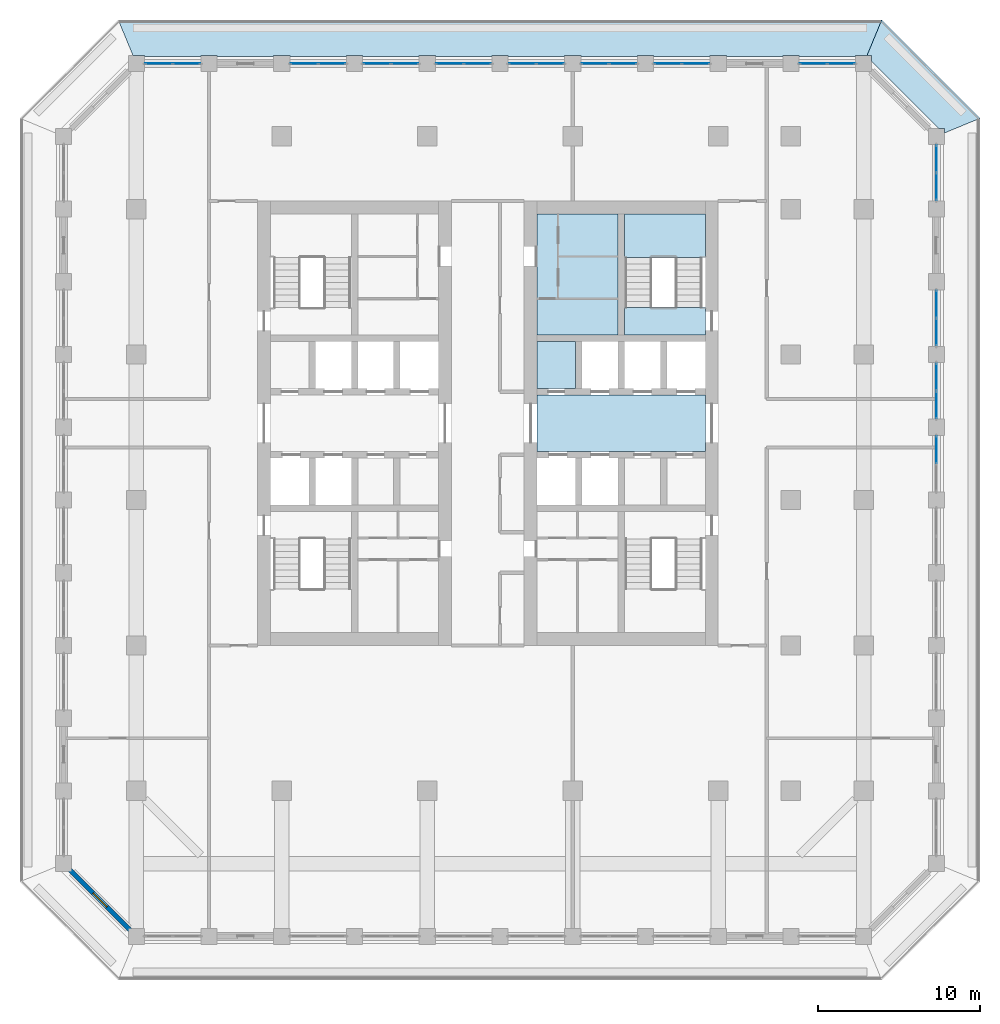
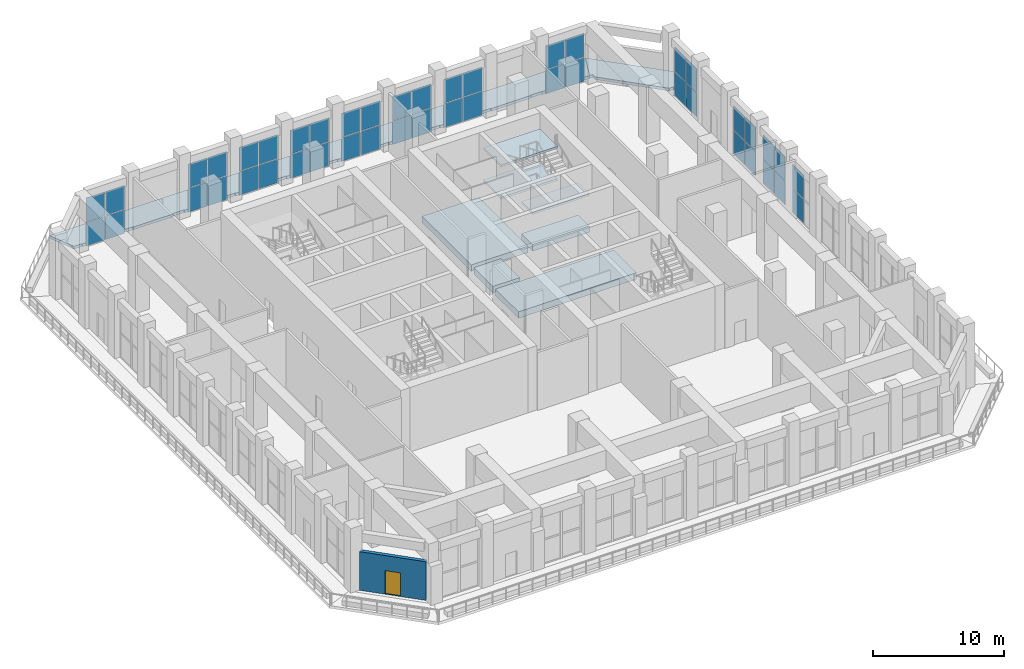
# One storey, part 12 of 25: 46 plates, 9 slabs, 1 door, 1 wall, 1 opening, 13 elements without a shape of their own.
"""IFC4 building model written with IfcOpenShell, lengths in metres."""

from ifc_helpers import new_model, si_unit, direction, frame, frame_2d, origin, origin_2d, place, context, subcontext, project, spatial, polyline, rectangle, outline, extrude, material, layer, layer_set, type_object, element, fill, aggregate, save


model = new_model("IFC4")

# Units and contexts
model_context = context("Model", 3, precision=1e-05, world=origin(), true_north=direction((0.0, 1.0)))
body_context = subcontext(model_context, "Body", "Model", "MODEL_VIEW")
ifc_project = project(units=[si_unit("LENGTHUNIT", "METRE"), si_unit("AREAUNIT", "SQUARE_METRE"), si_unit("VOLUMEUNIT", "CUBIC_METRE"), si_unit("PLANEANGLEUNIT", "RADIAN"), si_unit("MASSUNIT", "GRAM", prefix="KILO")], contexts=[model_context])

# Site, building, storey
site_placement = place(None, origin())
site = spatial("IfcSite", under=ifc_project, at=site_placement, CompositionType="ELEMENT")
building_placement = place(site_placement, origin())
building = spatial("IfcBuilding", under=site, at=building_placement, Name="Corbel Stack Research Tower", CompositionType="ELEMENT")
storey_placement = place(building_placement, frame((0.0, 0.0, 220.199951171875)))
storey = spatial("IfcBuildingStorey", under=building, at=storey_placement, Name="L50", CompositionType="ELEMENT", Elevation=220.199951171875)

# Curtain wall, plates
ifc_material_1 = material(Name="Aluminium frame, clear glass", Category="aluminium")
curtain_wall_type = type_object("IfcCurtainWallType", Name="Upper amenity floor curtain wall CW3", PredefinedType="NOTDEFINED", material=ifc_material_1)
curtain_wall_1_placement = place(storey_placement, origin())
curtain_wall_1 = element("IfcCurtainWall", 1, at=curtain_wall_1_placement, inside=storey, type_object=curtain_wall_type, Name="Curtain wall CW3 L50 E06", PredefinedType="NOTDEFINED")
ifc_material_2 = material(Name="Low-emissivity glass", Category="glass")
ifc_layer_1 = layer(ifc_material_2, 0.035888671875)
ifc_layer_set_1 = layer_set([ifc_layer_1], Name="Low-emissivity glass")
plate_type = type_object("IfcPlateType", Name="Low-emissivity glazing 36", PredefinedType="CURTAIN_PANEL", material=ifc_layer_set_1)
plate_1_placement = place(storey_placement, frame((31.5, 3.110107421875, 0.06005859375), z_axis=(0.0, 0.0, 1.0), x_axis=(0.0, 1.0, 0.0)))
plate_1 = element("IfcPlate", 2, at=plate_1_placement, type_object=plate_type, Name="CW3 panel 2.1", PredefinedType="CURTAIN_PANEL", context=body_context, shape_type="SweptSolid", body=[
    extrude(rectangle(XDim=1.659912109375, YDim=0.035888671875, at=origin_2d()), origin(), (0.0, 0.0, 1.0), 2.2099609375),
])
plate_2_placement = place(storey_placement, frame((31.5, 3.110107421875, 2.330078125), z_axis=(0.0, 0.0, 1.0), x_axis=(0.0, 1.0, 0.0)))
plate_2 = element("IfcPlate", 3, at=plate_2_placement, type_object=plate_type, Name="CW3 panel 2.2", PredefinedType="CURTAIN_PANEL", context=body_context, shape_type="SweptSolid", body=[
    extrude(rectangle(XDim=1.659912109375, YDim=0.035888671875, at=origin_2d()), origin(), (0.0, 0.0, 1.0), 2.2099609375),
])
aggregate(curtain_wall_1, [plate_1, plate_2])

curtain_wall_2_placement = place(storey_placement, origin())
curtain_wall_2 = element("IfcCurtainWall", 4, at=curtain_wall_2_placement, inside=storey, type_object=curtain_wall_type, Name="Curtain wall CW3 L50 E07", PredefinedType="NOTDEFINED")
plate_3_placement = place(storey_placement, frame((31.5, 5.889892578125, 0.06005859375), z_axis=(0.0, 0.0, 1.0), x_axis=(0.0, 1.0, 0.0)))
plate_3 = element("IfcPlate", 5, at=plate_3_placement, type_object=plate_type, Name="CW3 panel 1.1", PredefinedType="CURTAIN_PANEL", context=body_context, shape_type="SweptSolid", body=[
    extrude(rectangle(XDim=1.659912109375, YDim=0.035888671875, at=origin_2d()), origin(), (0.0, 0.0, 1.0), 2.2099609375),
])
plate_4_placement = place(storey_placement, frame((31.5, 5.889892578125, 2.330078125), z_axis=(0.0, 0.0, 1.0), x_axis=(0.0, 1.0, 0.0)))
plate_4 = element("IfcPlate", 6, at=plate_4_placement, type_object=plate_type, Name="CW3 panel 1.2", PredefinedType="CURTAIN_PANEL", context=body_context, shape_type="SweptSolid", body=[
    extrude(rectangle(XDim=1.659912109375, YDim=0.035888671875, at=origin_2d()), origin(), (0.0, 0.0, 1.0), 2.2099609375),
])
plate_5_placement = place(storey_placement, frame((31.5, 7.610107421875, 0.06005859375), z_axis=(0.0, 0.0, 1.0), x_axis=(0.0, 1.0, 0.0)))
plate_5 = element("IfcPlate", 7, at=plate_5_placement, type_object=plate_type, Name="CW3 panel 2.1", PredefinedType="CURTAIN_PANEL", context=body_context, shape_type="SweptSolid", body=[
    extrude(rectangle(XDim=1.659912109375, YDim=0.035888671875, at=origin_2d()), origin(), (0.0, 0.0, 1.0), 2.2099609375),
])
plate_6_placement = place(storey_placement, frame((31.5, 7.610107421875, 2.330078125), z_axis=(0.0, 0.0, 1.0), x_axis=(0.0, 1.0, 0.0)))
plate_6 = element("IfcPlate", 8, at=plate_6_placement, type_object=plate_type, Name="CW3 panel 2.2", PredefinedType="CURTAIN_PANEL", context=body_context, shape_type="SweptSolid", body=[
    extrude(rectangle(XDim=1.659912109375, YDim=0.035888671875, at=origin_2d()), origin(), (0.0, 0.0, 1.0), 2.2099609375),
])
aggregate(curtain_wall_2, [plate_3, plate_4, plate_5, plate_6])

curtain_wall_3_placement = place(storey_placement, origin())
curtain_wall_3 = element("IfcCurtainWall", 9, at=curtain_wall_3_placement, inside=storey, type_object=curtain_wall_type, Name="Curtain wall CW3 L50 E08", PredefinedType="NOTDEFINED")
plate_7_placement = place(storey_placement, frame((31.5, 10.389892578125, 0.06005859375), z_axis=(0.0, 0.0, 1.0), x_axis=(0.0, 1.0, 0.0)))
plate_7 = element("IfcPlate", 10, at=plate_7_placement, type_object=plate_type, Name="CW3 panel 1.1", PredefinedType="CURTAIN_PANEL", context=body_context, shape_type="SweptSolid", body=[
    extrude(rectangle(XDim=1.659912109375, YDim=0.035888671875, at=origin_2d()), origin(), (0.0, 0.0, 1.0), 2.2099609375),
])
plate_8_placement = place(storey_placement, frame((31.5, 10.389892578125, 2.330078125), z_axis=(0.0, 0.0, 1.0), x_axis=(0.0, 1.0, 0.0)))
plate_8 = element("IfcPlate", 11, at=plate_8_placement, type_object=plate_type, Name="CW3 panel 1.2", PredefinedType="CURTAIN_PANEL", context=body_context, shape_type="SweptSolid", body=[
    extrude(rectangle(XDim=1.659912109375, YDim=0.035888671875, at=origin_2d()), origin(), (0.0, 0.0, 1.0), 2.2099609375),
])
plate_9_placement = place(storey_placement, frame((31.5, 12.110107421875, 0.06005859375), z_axis=(0.0, 0.0, 1.0), x_axis=(0.0, 1.0, 0.0)))
plate_9 = element("IfcPlate", 12, at=plate_9_placement, type_object=plate_type, Name="CW3 panel 2.1", PredefinedType="CURTAIN_PANEL", context=body_context, shape_type="SweptSolid", body=[
    extrude(rectangle(XDim=1.659912109375, YDim=0.035888671875, at=origin_2d()), origin(), (0.0, 0.0, 1.0), 2.2099609375),
])
plate_10_placement = place(storey_placement, frame((31.5, 12.110107421875, 2.330078125), z_axis=(0.0, 0.0, 1.0), x_axis=(0.0, 1.0, 0.0)))
plate_10 = element("IfcPlate", 13, at=plate_10_placement, type_object=plate_type, Name="CW3 panel 2.2", PredefinedType="CURTAIN_PANEL", context=body_context, shape_type="SweptSolid", body=[
    extrude(rectangle(XDim=1.659912109375, YDim=0.035888671875, at=origin_2d()), origin(), (0.0, 0.0, 1.0), 2.2099609375),
])
aggregate(curtain_wall_3, [plate_7, plate_8, plate_9, plate_10])

curtain_wall_4_placement = place(storey_placement, origin())
curtain_wall_4 = element("IfcCurtainWall", 14, at=curtain_wall_4_placement, inside=storey, type_object=curtain_wall_type, Name="Curtain wall CW3 L50 E10", PredefinedType="NOTDEFINED")
plate_11_placement = place(storey_placement, frame((31.5, 19.389892578125, 0.06005859375), z_axis=(0.0, 0.0, 1.0), x_axis=(0.0, 1.0, 0.0)))
plate_11 = element("IfcPlate", 15, at=plate_11_placement, type_object=plate_type, Name="CW3 panel 1.1", PredefinedType="CURTAIN_PANEL", context=body_context, shape_type="SweptSolid", body=[
    extrude(rectangle(XDim=1.659912109375, YDim=0.035888671875, at=origin_2d()), origin(), (0.0, 0.0, 1.0), 2.2099609375),
])
plate_12_placement = place(storey_placement, frame((31.5, 19.389892578125, 2.330078125), z_axis=(0.0, 0.0, 1.0), x_axis=(0.0, 1.0, 0.0)))
plate_12 = element("IfcPlate", 16, at=plate_12_placement, type_object=plate_type, Name="CW3 panel 1.2", PredefinedType="CURTAIN_PANEL", context=body_context, shape_type="SweptSolid", body=[
    extrude(rectangle(XDim=1.659912109375, YDim=0.035888671875, at=origin_2d()), origin(), (0.0, 0.0, 1.0), 2.2099609375),
])
plate_13_placement = place(storey_placement, frame((31.5, 21.110107421875, 0.06005859375), z_axis=(0.0, 0.0, 1.0), x_axis=(0.0, 1.0, 0.0)))
plate_13 = element("IfcPlate", 17, at=plate_13_placement, type_object=plate_type, Name="CW3 panel 2.1", PredefinedType="CURTAIN_PANEL", context=body_context, shape_type="SweptSolid", body=[
    extrude(rectangle(XDim=1.659912109375, YDim=0.035888671875, at=origin_2d()), origin(), (0.0, 0.0, 1.0), 2.2099609375),
])
plate_14_placement = place(storey_placement, frame((31.5, 21.110107421875, 2.330078125), z_axis=(0.0, 0.0, 1.0), x_axis=(0.0, 1.0, 0.0)))
plate_14 = element("IfcPlate", 18, at=plate_14_placement, type_object=plate_type, Name="CW3 panel 2.2", PredefinedType="CURTAIN_PANEL", context=body_context, shape_type="SweptSolid", body=[
    extrude(rectangle(XDim=1.659912109375, YDim=0.035888671875, at=origin_2d()), origin(), (0.0, 0.0, 1.0), 2.2099609375),
])
aggregate(curtain_wall_4, [plate_11, plate_12, plate_13, plate_14])

curtain_wall_5_placement = place(storey_placement, origin())
curtain_wall_5 = element("IfcCurtainWall", 19, at=curtain_wall_5_placement, inside=storey, type_object=curtain_wall_type, Name="Curtain wall CW3 L50 N01", PredefinedType="NOTDEFINED")
plate_15_placement = place(storey_placement, frame((25.610107421875, 27.0, 0.06005859375), z_axis=(0.0, 0.0, 1.0), x_axis=(-1.0, 0.0, 0.0)))
plate_15 = element("IfcPlate", 20, at=plate_15_placement, type_object=plate_type, Name="CW3 panel 1.1", PredefinedType="CURTAIN_PANEL", context=body_context, shape_type="SweptSolid", body=[
    extrude(rectangle(XDim=1.659912109375, YDim=0.035888671875, at=origin_2d()), origin(), (0.0, 0.0, 1.0), 2.2099609375),
])
plate_16_placement = place(storey_placement, frame((25.610107421875, 27.0, 2.330078125), z_axis=(0.0, 0.0, 1.0), x_axis=(-1.0, 0.0, 0.0)))
plate_16 = element("IfcPlate", 21, at=plate_16_placement, type_object=plate_type, Name="CW3 panel 1.2", PredefinedType="CURTAIN_PANEL", context=body_context, shape_type="SweptSolid", body=[
    extrude(rectangle(XDim=1.659912109375, YDim=0.035888671875, at=origin_2d()), origin(), (0.0, 0.0, 1.0), 2.2099609375),
])
plate_17_placement = place(storey_placement, frame((23.889892578125, 27.0, 0.06005859375), z_axis=(0.0, 0.0, 1.0), x_axis=(-1.0, 0.0, 0.0)))
plate_17 = element("IfcPlate", 22, at=plate_17_placement, type_object=plate_type, Name="CW3 panel 2.1", PredefinedType="CURTAIN_PANEL", context=body_context, shape_type="SweptSolid", body=[
    extrude(rectangle(XDim=1.659912109375, YDim=0.035888671875, at=origin_2d()), origin(), (0.0, 0.0, 1.0), 2.2099609375),
])
plate_18_placement = place(storey_placement, frame((23.889892578125, 27.0, 2.330078125), z_axis=(0.0, 0.0, 1.0), x_axis=(-1.0, 0.0, 0.0)))
plate_18 = element("IfcPlate", 23, at=plate_18_placement, type_object=plate_type, Name="CW3 panel 2.2", PredefinedType="CURTAIN_PANEL", context=body_context, shape_type="SweptSolid", body=[
    extrude(rectangle(XDim=1.659912109375, YDim=0.035888671875, at=origin_2d()), origin(), (0.0, 0.0, 1.0), 2.2099609375),
])
aggregate(curtain_wall_5, [plate_15, plate_16, plate_17, plate_18])

curtain_wall_6_placement = place(storey_placement, origin())
curtain_wall_6 = element("IfcCurtainWall", 24, at=curtain_wall_6_placement, inside=storey, type_object=curtain_wall_type, Name="Curtain wall CW3 L50 N03", PredefinedType="NOTDEFINED")
plate_19_placement = place(storey_placement, frame((16.610107421875, 27.0, 0.06005859375), z_axis=(0.0, 0.0, 1.0), x_axis=(-1.0, 0.0, 0.0)))
plate_19 = element("IfcPlate", 25, at=plate_19_placement, type_object=plate_type, Name="CW3 panel 1.1", PredefinedType="CURTAIN_PANEL", context=body_context, shape_type="SweptSolid", body=[
    extrude(rectangle(XDim=1.659912109375, YDim=0.035888671875, at=origin_2d()), origin(), (0.0, 0.0, 1.0), 2.2099609375),
])
plate_20_placement = place(storey_placement, frame((16.610107421875, 27.0, 2.330078125), z_axis=(0.0, 0.0, 1.0), x_axis=(-1.0, 0.0, 0.0)))
plate_20 = element("IfcPlate", 26, at=plate_20_placement, type_object=plate_type, Name="CW3 panel 1.2", PredefinedType="CURTAIN_PANEL", context=body_context, shape_type="SweptSolid", body=[
    extrude(rectangle(XDim=1.659912109375, YDim=0.035888671875, at=origin_2d()), origin(), (0.0, 0.0, 1.0), 2.2099609375),
])
plate_21_placement = place(storey_placement, frame((14.889892578125, 27.0, 0.06005859375), z_axis=(0.0, 0.0, 1.0), x_axis=(-1.0, 0.0, 0.0)))
plate_21 = element("IfcPlate", 27, at=plate_21_placement, type_object=plate_type, Name="CW3 panel 2.1", PredefinedType="CURTAIN_PANEL", context=body_context, shape_type="SweptSolid", body=[
    extrude(rectangle(XDim=1.659912109375, YDim=0.035888671875, at=origin_2d()), origin(), (0.0, 0.0, 1.0), 2.2099609375),
])
plate_22_placement = place(storey_placement, frame((14.889892578125, 27.0, 2.330078125), z_axis=(0.0, 0.0, 1.0), x_axis=(-1.0, 0.0, 0.0)))
plate_22 = element("IfcPlate", 28, at=plate_22_placement, type_object=plate_type, Name="CW3 panel 2.2", PredefinedType="CURTAIN_PANEL", context=body_context, shape_type="SweptSolid", body=[
    extrude(rectangle(XDim=1.659912109375, YDim=0.035888671875, at=origin_2d()), origin(), (0.0, 0.0, 1.0), 2.2099609375),
])
aggregate(curtain_wall_6, [plate_19, plate_20, plate_21, plate_22])

curtain_wall_7_placement = place(storey_placement, origin())
curtain_wall_7 = element("IfcCurtainWall", 29, at=curtain_wall_7_placement, inside=storey, type_object=curtain_wall_type, Name="Curtain wall CW3 L50 N04", PredefinedType="NOTDEFINED")
plate_23_placement = place(storey_placement, frame((12.110107421875, 27.0, 0.06005859375), z_axis=(0.0, 0.0, 1.0), x_axis=(-1.0, 0.0, 0.0)))
plate_23 = element("IfcPlate", 30, at=plate_23_placement, type_object=plate_type, Name="CW3 panel 1.1", PredefinedType="CURTAIN_PANEL", context=body_context, shape_type="SweptSolid", body=[
    extrude(rectangle(XDim=1.659912109375, YDim=0.035888671875, at=origin_2d()), origin(), (0.0, 0.0, 1.0), 2.2099609375),
])
plate_24_placement = place(storey_placement, frame((12.110107421875, 27.0, 2.330078125), z_axis=(0.0, 0.0, 1.0), x_axis=(-1.0, 0.0, 0.0)))
plate_24 = element("IfcPlate", 31, at=plate_24_placement, type_object=plate_type, Name="CW3 panel 1.2", PredefinedType="CURTAIN_PANEL", context=body_context, shape_type="SweptSolid", body=[
    extrude(rectangle(XDim=1.659912109375, YDim=0.035888671875, at=origin_2d()), origin(), (0.0, 0.0, 1.0), 2.2099609375),
])
plate_25_placement = place(storey_placement, frame((10.389892578125, 27.0, 0.06005859375), z_axis=(0.0, 0.0, 1.0), x_axis=(-1.0, 0.0, 0.0)))
plate_25 = element("IfcPlate", 32, at=plate_25_placement, type_object=plate_type, Name="CW3 panel 2.1", PredefinedType="CURTAIN_PANEL", context=body_context, shape_type="SweptSolid", body=[
    extrude(rectangle(XDim=1.659912109375, YDim=0.035888671875, at=origin_2d()), origin(), (0.0, 0.0, 1.0), 2.2099609375),
])
plate_26_placement = place(storey_placement, frame((10.389892578125, 27.0, 2.330078125), z_axis=(0.0, 0.0, 1.0), x_axis=(-1.0, 0.0, 0.0)))
plate_26 = element("IfcPlate", 33, at=plate_26_placement, type_object=plate_type, Name="CW3 panel 2.2", PredefinedType="CURTAIN_PANEL", context=body_context, shape_type="SweptSolid", body=[
    extrude(rectangle(XDim=1.659912109375, YDim=0.035888671875, at=origin_2d()), origin(), (0.0, 0.0, 1.0), 2.2099609375),
])
aggregate(curtain_wall_7, [plate_23, plate_24, plate_25, plate_26])

curtain_wall_8_placement = place(storey_placement, origin())
curtain_wall_8 = element("IfcCurtainWall", 34, at=curtain_wall_8_placement, inside=storey, type_object=curtain_wall_type, Name="Curtain wall CW3 L50 N05", PredefinedType="NOTDEFINED")
plate_27_placement = place(storey_placement, frame((7.610107421875, 27.0, 0.06005859375), z_axis=(0.0, 0.0, 1.0), x_axis=(-1.0, 0.0, 0.0)))
plate_27 = element("IfcPlate", 35, at=plate_27_placement, type_object=plate_type, Name="CW3 panel 1.1", PredefinedType="CURTAIN_PANEL", context=body_context, shape_type="SweptSolid", body=[
    extrude(rectangle(XDim=1.659912109375, YDim=0.035888671875, at=origin_2d()), origin(), (0.0, 0.0, 1.0), 2.2099609375),
])
plate_28_placement = place(storey_placement, frame((7.610107421875, 27.0, 2.330078125), z_axis=(0.0, 0.0, 1.0), x_axis=(-1.0, 0.0, 0.0)))
plate_28 = element("IfcPlate", 36, at=plate_28_placement, type_object=plate_type, Name="CW3 panel 1.2", PredefinedType="CURTAIN_PANEL", context=body_context, shape_type="SweptSolid", body=[
    extrude(rectangle(XDim=1.659912109375, YDim=0.035888671875, at=origin_2d()), origin(), (0.0, 0.0, 1.0), 2.2099609375),
])
plate_29_placement = place(storey_placement, frame((5.889892578125, 27.0, 0.06005859375), z_axis=(0.0, 0.0, 1.0), x_axis=(-1.0, 0.0, 0.0)))
plate_29 = element("IfcPlate", 37, at=plate_29_placement, type_object=plate_type, Name="CW3 panel 2.1", PredefinedType="CURTAIN_PANEL", context=body_context, shape_type="SweptSolid", body=[
    extrude(rectangle(XDim=1.659912109375, YDim=0.035888671875, at=origin_2d()), origin(), (0.0, 0.0, 1.0), 2.2099609375),
])
plate_30_placement = place(storey_placement, frame((5.889892578125, 27.0, 2.330078125), z_axis=(0.0, 0.0, 1.0), x_axis=(-1.0, 0.0, 0.0)))
plate_30 = element("IfcPlate", 38, at=plate_30_placement, type_object=plate_type, Name="CW3 panel 2.2", PredefinedType="CURTAIN_PANEL", context=body_context, shape_type="SweptSolid", body=[
    extrude(rectangle(XDim=1.659912109375, YDim=0.035888671875, at=origin_2d()), origin(), (0.0, 0.0, 1.0), 2.2099609375),
])
aggregate(curtain_wall_8, [plate_27, plate_28, plate_29, plate_30])

curtain_wall_9_placement = place(storey_placement, origin())
curtain_wall_9 = element("IfcCurtainWall", 39, at=curtain_wall_9_placement, inside=storey, type_object=curtain_wall_type, Name="Curtain wall CW3 L50 N06", PredefinedType="NOTDEFINED")
plate_31_placement = place(storey_placement, frame((3.110107421875, 27.0, 0.06005859375), z_axis=(0.0, 0.0, 1.0), x_axis=(-1.0, 0.0, 0.0)))
plate_31 = element("IfcPlate", 40, at=plate_31_placement, type_object=plate_type, Name="CW3 panel 1.1", PredefinedType="CURTAIN_PANEL", context=body_context, shape_type="SweptSolid", body=[
    extrude(rectangle(XDim=1.659912109375, YDim=0.035888671875, at=origin_2d()), origin(), (0.0, 0.0, 1.0), 2.2099609375),
])
plate_32_placement = place(storey_placement, frame((3.110107421875, 27.0, 2.330078125), z_axis=(0.0, 0.0, 1.0), x_axis=(-1.0, 0.0, 0.0)))
plate_32 = element("IfcPlate", 41, at=plate_32_placement, type_object=plate_type, Name="CW3 panel 1.2", PredefinedType="CURTAIN_PANEL", context=body_context, shape_type="SweptSolid", body=[
    extrude(rectangle(XDim=1.659912109375, YDim=0.035888671875, at=origin_2d()), origin(), (0.0, 0.0, 1.0), 2.2099609375),
])
plate_33_placement = place(storey_placement, frame((1.389892578125, 27.0, 0.06005859375), z_axis=(0.0, 0.0, 1.0), x_axis=(-1.0, 0.0, 0.0)))
plate_33 = element("IfcPlate", 42, at=plate_33_placement, type_object=plate_type, Name="CW3 panel 2.1", PredefinedType="CURTAIN_PANEL", context=body_context, shape_type="SweptSolid", body=[
    extrude(rectangle(XDim=1.659912109375, YDim=0.035888671875, at=origin_2d()), origin(), (0.0, 0.0, 1.0), 2.2099609375),
])
plate_34_placement = place(storey_placement, frame((1.389892578125, 27.0, 2.330078125), z_axis=(0.0, 0.0, 1.0), x_axis=(-1.0, 0.0, 0.0)))
plate_34 = element("IfcPlate", 43, at=plate_34_placement, type_object=plate_type, Name="CW3 panel 2.2", PredefinedType="CURTAIN_PANEL", context=body_context, shape_type="SweptSolid", body=[
    extrude(rectangle(XDim=1.659912109375, YDim=0.035888671875, at=origin_2d()), origin(), (0.0, 0.0, 1.0), 2.2099609375),
])
aggregate(curtain_wall_9, [plate_31, plate_32, plate_33, plate_34])

curtain_wall_10_placement = place(storey_placement, origin())
curtain_wall_10 = element("IfcCurtainWall", 44, at=curtain_wall_10_placement, inside=storey, type_object=curtain_wall_type, Name="Curtain wall CW3 L50 N07", PredefinedType="NOTDEFINED")
plate_35_placement = place(storey_placement, frame((-1.389892578125, 27.0, 0.06005859375), z_axis=(0.0, 0.0, 1.0), x_axis=(-1.0, 0.0, 0.0)))
plate_35 = element("IfcPlate", 45, at=plate_35_placement, type_object=plate_type, Name="CW3 panel 1.1", PredefinedType="CURTAIN_PANEL", context=body_context, shape_type="SweptSolid", body=[
    extrude(rectangle(XDim=1.659912109375, YDim=0.035888671875, at=origin_2d()), origin(), (0.0, 0.0, 1.0), 2.2099609375),
])
plate_36_placement = place(storey_placement, frame((-1.389892578125, 27.0, 2.330078125), z_axis=(0.0, 0.0, 1.0), x_axis=(-1.0, 0.0, 0.0)))
plate_36 = element("IfcPlate", 46, at=plate_36_placement, type_object=plate_type, Name="CW3 panel 1.2", PredefinedType="CURTAIN_PANEL", context=body_context, shape_type="SweptSolid", body=[
    extrude(rectangle(XDim=1.659912109375, YDim=0.035888671875, at=origin_2d()), origin(), (0.0, 0.0, 1.0), 2.2099609375),
])
plate_37_placement = place(storey_placement, frame((-3.110107421875, 27.0, 0.06005859375), z_axis=(0.0, 0.0, 1.0), x_axis=(-1.0, 0.0, 0.0)))
plate_37 = element("IfcPlate", 47, at=plate_37_placement, type_object=plate_type, Name="CW3 panel 2.1", PredefinedType="CURTAIN_PANEL", context=body_context, shape_type="SweptSolid", body=[
    extrude(rectangle(XDim=1.659912109375, YDim=0.035888671875, at=origin_2d()), origin(), (0.0, 0.0, 1.0), 2.2099609375),
])
plate_38_placement = place(storey_placement, frame((-3.110107421875, 27.0, 2.330078125), z_axis=(0.0, 0.0, 1.0), x_axis=(-1.0, 0.0, 0.0)))
plate_38 = element("IfcPlate", 48, at=plate_38_placement, type_object=plate_type, Name="CW3 panel 2.2", PredefinedType="CURTAIN_PANEL", context=body_context, shape_type="SweptSolid", body=[
    extrude(rectangle(XDim=1.659912109375, YDim=0.035888671875, at=origin_2d()), origin(), (0.0, 0.0, 1.0), 2.2099609375),
])
aggregate(curtain_wall_10, [plate_35, plate_36, plate_37, plate_38])

curtain_wall_11_placement = place(storey_placement, origin())
curtain_wall_11 = element("IfcCurtainWall", 49, at=curtain_wall_11_placement, inside=storey, type_object=curtain_wall_type, Name="Curtain wall CW3 L50 N08", PredefinedType="NOTDEFINED")
plate_39_placement = place(storey_placement, frame((-5.889892578125, 27.0, 0.06005859375), z_axis=(0.0, 0.0, 1.0), x_axis=(-1.0, 0.0, 0.0)))
plate_39 = element("IfcPlate", 50, at=plate_39_placement, type_object=plate_type, Name="CW3 panel 1.1", PredefinedType="CURTAIN_PANEL", context=body_context, shape_type="SweptSolid", body=[
    extrude(rectangle(XDim=1.659912109375, YDim=0.035888671875, at=origin_2d()), origin(), (0.0, 0.0, 1.0), 2.2099609375),
])
plate_40_placement = place(storey_placement, frame((-5.889892578125, 27.0, 2.330078125), z_axis=(0.0, 0.0, 1.0), x_axis=(-1.0, 0.0, 0.0)))
plate_40 = element("IfcPlate", 51, at=plate_40_placement, type_object=plate_type, Name="CW3 panel 1.2", PredefinedType="CURTAIN_PANEL", context=body_context, shape_type="SweptSolid", body=[
    extrude(rectangle(XDim=1.659912109375, YDim=0.035888671875, at=origin_2d()), origin(), (0.0, 0.0, 1.0), 2.2099609375),
])
plate_41_placement = place(storey_placement, frame((-7.610107421875, 27.0, 0.06005859375), z_axis=(0.0, 0.0, 1.0), x_axis=(-1.0, 0.0, 0.0)))
plate_41 = element("IfcPlate", 52, at=plate_41_placement, type_object=plate_type, Name="CW3 panel 2.1", PredefinedType="CURTAIN_PANEL", context=body_context, shape_type="SweptSolid", body=[
    extrude(rectangle(XDim=1.659912109375, YDim=0.035888671875, at=origin_2d()), origin(), (0.0, 0.0, 1.0), 2.2099609375),
])
plate_42_placement = place(storey_placement, frame((-7.610107421875, 27.0, 2.330078125), z_axis=(0.0, 0.0, 1.0), x_axis=(-1.0, 0.0, 0.0)))
plate_42 = element("IfcPlate", 53, at=plate_42_placement, type_object=plate_type, Name="CW3 panel 2.2", PredefinedType="CURTAIN_PANEL", context=body_context, shape_type="SweptSolid", body=[
    extrude(rectangle(XDim=1.659912109375, YDim=0.035888671875, at=origin_2d()), origin(), (0.0, 0.0, 1.0), 2.2099609375),
])
aggregate(curtain_wall_11, [plate_39, plate_40, plate_41, plate_42])

curtain_wall_12_placement = place(storey_placement, origin())
curtain_wall_12 = element("IfcCurtainWall", 54, at=curtain_wall_12_placement, inside=storey, type_object=curtain_wall_type, Name="Curtain wall CW3 L50 N10", PredefinedType="NOTDEFINED")
plate_43_placement = place(storey_placement, frame((-14.889892578125, 27.0, 0.06005859375), z_axis=(0.0, 0.0, 1.0), x_axis=(-1.0, 0.0, 0.0)))
plate_43 = element("IfcPlate", 55, at=plate_43_placement, type_object=plate_type, Name="CW3 panel 1.1", PredefinedType="CURTAIN_PANEL", context=body_context, shape_type="SweptSolid", body=[
    extrude(rectangle(XDim=1.659912109375, YDim=0.035888671875, at=origin_2d()), origin(), (0.0, 0.0, 1.0), 2.2099609375),
])
plate_44_placement = place(storey_placement, frame((-14.889892578125, 27.0, 2.330078125), z_axis=(0.0, 0.0, 1.0), x_axis=(-1.0, 0.0, 0.0)))
plate_44 = element("IfcPlate", 56, at=plate_44_placement, type_object=plate_type, Name="CW3 panel 1.2", PredefinedType="CURTAIN_PANEL", context=body_context, shape_type="SweptSolid", body=[
    extrude(rectangle(XDim=1.659912109375, YDim=0.035888671875, at=origin_2d()), origin(), (0.0, 0.0, 1.0), 2.2099609375),
])
plate_45_placement = place(storey_placement, frame((-16.610107421875, 27.0, 0.06005859375), z_axis=(0.0, 0.0, 1.0), x_axis=(-1.0, 0.0, 0.0)))
plate_45 = element("IfcPlate", 57, at=plate_45_placement, type_object=plate_type, Name="CW3 panel 2.1", PredefinedType="CURTAIN_PANEL", context=body_context, shape_type="SweptSolid", body=[
    extrude(rectangle(XDim=1.659912109375, YDim=0.035888671875, at=origin_2d()), origin(), (0.0, 0.0, 1.0), 2.2099609375),
])
plate_46_placement = place(storey_placement, frame((-16.610107421875, 27.0, 2.330078125), z_axis=(0.0, 0.0, 1.0), x_axis=(-1.0, 0.0, 0.0)))
plate_46 = element("IfcPlate", 58, at=plate_46_placement, type_object=plate_type, Name="CW3 panel 2.2", PredefinedType="CURTAIN_PANEL", context=body_context, shape_type="SweptSolid", body=[
    extrude(rectangle(XDim=1.659912109375, YDim=0.035888671875, at=origin_2d()), origin(), (0.0, 0.0, 1.0), 2.2099609375),
])
aggregate(curtain_wall_12, [plate_43, plate_44, plate_45, plate_46])

# Slabs
ifc_material_3 = material(Name="Concrete C45/55", Category="concrete")
ifc_layer_2 = layer(ifc_material_3, 0.25)
ifc_layer_set_2 = layer_set([ifc_layer_2], Name="Concrete C45/55")
slab_type_1 = type_object("IfcSlabType", Name="PT balcony slab 250 C45/55", PredefinedType="FLOOR", material=ifc_layer_set_2)
slab_1_placement = place(storey_placement, frame((0.0, 0.0, -0.25)))
element("IfcSlab", 59, at=slab_1_placement, inside=storey, type_object=slab_type_1, Name="Loggia slab L50 NE", PredefinedType="FLOOR", context=body_context, shape_type="SweptSolid", body=[
    extrude(outline(polyline([(27.20703125, 27.5), (27.5, 27.5), (27.5, 27.136474609375), (31.636474609375, 23.0), (32.0, 23.0), (32.0, 22.70703125), (34.199951171875, 23.618408203125), (28.118408203125, 29.699951171875), (27.20703125, 27.5)])), origin(), (0.0, 0.0, 1.0), 0.25),
])
slab_2_placement = place(storey_placement, frame((0.0, 0.0, -0.25)))
element("IfcSlab", 60, at=slab_2_placement, inside=storey, type_object=slab_type_1, Name="Loggia slab L50 N", PredefinedType="FLOOR", context=body_context, shape_type="SweptSolid", body=[
    extrude(outline(polyline([(-18.20703125, 27.5), (-17.5, 27.5), (-17.5, 27.449951171875), (-14.0, 27.449951171875), (-14.0, 27.5), (-13.0, 27.5), (-13.0, 27.449951171875), (-9.5, 27.449951171875), (-9.5, 27.5), (-8.5, 27.5), (-8.5, 27.449951171875), (-5.0, 27.449951171875), (-5.0, 27.5), (-4.0, 27.5), (-4.0, 27.449951171875), (-0.5, 27.449951171875), (-0.5, 27.5), (0.5, 27.5), (0.5, 27.449951171875), (4.0, 27.449951171875), (4.0, 27.5), (5.0, 27.5), (5.0, 27.449951171875), (8.5, 27.449951171875), (8.5, 27.5), (9.5, 27.5), (9.5, 27.449951171875), (13.0, 27.449951171875), (13.0, 27.5), (14.0, 27.5), (14.0, 27.449951171875), (17.5, 27.449951171875), (17.5, 27.5), (18.5, 27.5), (18.5, 27.449951171875), (22.0, 27.449951171875), (22.0, 27.5), (23.0, 27.5), (23.0, 27.449951171875), (26.5, 27.449951171875), (26.5, 27.5), (27.20703125, 27.5), (28.118408203125, 29.699951171875), (-19.118408203125, 29.699951171875), (-18.20703125, 27.5)])), origin(), (0.0, 0.0, 1.0), 0.25),
])
ifc_material_4 = material(Name="Concrete C45/55", Category="concrete")
ifc_layer_3 = layer(ifc_material_4, 0.60009765625)
ifc_layer_set_3 = layer_set([ifc_layer_3], Name="Concrete C45/55")
slab_type_2 = type_object("IfcSlabType", Name="PT-600", PredefinedType="FLOOR", material=ifc_layer_set_3)
slab_3_placement = place(storey_placement, frame((0.0, 0.0, -0.599853515625)))
element("IfcSlab", 61, at=slab_3_placement, inside=storey, type_object=slab_type_2, Name="East core floor L50", PredefinedType="FLOOR", context=body_context, shape_type="SweptSolid", body=[
    extrude(outline(polyline([(17.199951171875, 6.5), (6.800048828125, 6.5), (6.800048828125, 3.0), (17.199951171875, 3.0), (17.199951171875, 6.5)])), origin(), (0.0, 0.0, 1.0), 0.599853515625),
])
slab_4_placement = place(storey_placement, frame((0.0, 0.0, -0.599853515625)))
element("IfcSlab", 62, at=slab_4_placement, inside=storey, type_object=slab_type_2, Name="East core floor L50", PredefinedType="FLOOR", context=body_context, shape_type="SweptSolid", body=[
    extrude(outline(polyline([(6.800048828125, 6.89990234375), (9.175048828125, 6.89990234375), (9.175048828125, 9.800048828125), (6.800048828125, 9.800048828125), (6.800048828125, 6.89990234375)])), origin(), (0.0, 0.0, 1.0), 0.599853515625),
])
slab_5_placement = place(storey_placement, frame((0.0, 0.0, -0.599853515625)))
element("IfcSlab", 63, at=slab_5_placement, inside=storey, type_object=slab_type_2, Name="East core floor L50", PredefinedType="FLOOR", context=body_context, shape_type="SweptSolid", body=[
    extrude(outline(polyline([(6.800048828125, 17.699951171875), (6.800048828125, 10.199951171875), (11.800048828125, 10.199951171875), (11.800048828125, 17.699951171875), (6.800048828125, 17.699951171875)])), origin(), (0.0, 0.0, 1.0), 0.599853515625),
])
slab_6_placement = place(storey_placement, frame((0.0, 0.0, -0.599853515625)))
element("IfcSlab", 64, at=slab_6_placement, inside=storey, type_object=slab_type_2, Name="Stair floor landing ST-E2", PredefinedType="FLOOR", context=body_context, shape_type="SweptSolid", body=[
    extrude(outline(polyline([(12.199951171875, 10.199951171875), (17.199951171875, 10.199951171875), (17.199951171875, 11.89990234375), (12.199951171875, 11.89990234375), (12.199951171875, 10.199951171875)])), origin(), (0.0, 0.0, 1.0), 0.599853515625),
])

# Stair, slabs
ifc_material_5 = material(Name="Concrete C40/50", Category="concrete")
stair_type = type_object("IfcStairType", Name="Exit stair 36 risers, 388 going", PredefinedType="HALF_TURN_STAIR", material=ifc_material_5)
stair_placement = place(storey_placement, origin())
stair = element("IfcStair", 65, at=stair_placement, inside=storey, type_object=stair_type, Name="L50 Exit stair ST-E2", PredefinedType="HALF_TURN_STAIR")
ifc_material_6 = material(Name="Concrete C40/50", Category="concrete")
ifc_layer_4 = layer(ifc_material_6, 0.199951171875)
ifc_layer_set_4 = layer_set([ifc_layer_4], Name="Concrete C40/50")
slab_type_3 = type_object("IfcSlabType", Name="Stair landing 200 C40/50", PredefinedType="LANDING", material=ifc_layer_set_4)
slab_7_placement = place(storey_placement, frame((0.0, 0.0, 1.300048828125)))
slab_7 = element("IfcSlab", 66, at=slab_7_placement, type_object=slab_type_3, Name="ST-E2 landing 1", PredefinedType="LANDING", context=body_context, shape_type="SweptSolid", body=[
    extrude(outline(polyline([(12.199951171875, 15.00390625), (12.199951171875, 17.699951171875), (17.199951171875, 17.699951171875), (17.199951171875, 15.00390625), (12.199951171875, 15.00390625)])), origin(), (0.0, 0.0, 1.0), 0.199951171875),
])
slab_8_placement = place(storey_placement, frame((0.0, 0.0, 2.800048828125)))
slab_8 = element("IfcSlab", 67, at=slab_8_placement, type_object=slab_type_3, Name="ST-E2 landing 2", PredefinedType="LANDING", context=body_context, shape_type="SweptSolid", body=[
    extrude(outline(polyline([(12.199951171875, 10.199951171875), (12.199951171875, 11.89990234375), (17.199951171875, 11.89990234375), (17.199951171875, 10.199951171875), (12.199951171875, 10.199951171875)])), origin(), (0.0, 0.0, 1.0), 0.199951171875),
])
slab_9_placement = place(storey_placement, frame((0.0, 0.0, 4.300048828125)))
slab_9 = element("IfcSlab", 68, at=slab_9_placement, type_object=slab_type_3, Name="ST-E2 landing 3", PredefinedType="LANDING", context=body_context, shape_type="SweptSolid", body=[
    extrude(outline(polyline([(12.199951171875, 15.00390625), (12.199951171875, 17.699951171875), (17.199951171875, 17.699951171875), (17.199951171875, 15.00390625), (12.199951171875, 15.00390625)])), origin(), (0.0, 0.0, 1.0), 0.199951171875),
])
aggregate(stair, [slab_7, slab_8, slab_9])

# Wall, opening, door
ifc_material_7 = material(Name="Concrete C45/55", Category="concrete")
ifc_layer_5 = layer(ifc_material_7, 0.300048828125)
ifc_layer_set_5 = layer_set([ifc_layer_5], Name="Concrete C45/55")
wall_type = type_object("IfcWallType", Name="Terracotta-faced concrete wall 300", PredefinedType="SOLIDWALL", material=ifc_layer_set_5)
wall_placement = place(storey_placement, frame((-18.393798828125, -26.606201171875, 0.0), z_axis=(0.0, 0.0, 1.0), x_axis=(-0.707106781187, 0.707106781187, 0.0)))
wall = element("IfcWall", 69, at=wall_placement, inside=storey, type_object=wall_type, Name="Facade wall L50 SW01", PredefinedType="SOLIDWALL", context=body_context, shape_type="SweptSolid", body=[
    extrude(rectangle(XDim=5.250244140625, YDim=0.300048828125, at=frame_2d((2.625, 0.0))), origin(), (0.0, 0.0, 1.0), 3.60009765625),
])
opening_placement = place(wall_placement, frame((2.02490234375, 0.0, 0.0)))
opening = element("IfcOpeningElement", 70, at=opening_placement, cuts=wall, Name="Opening L50-B12", PredefinedType="OPENING", context=body_context, shape_type="SweptSolid", body=[
    extrude(rectangle(XDim=1.199951171875, YDim=2.199951171875, at=frame_2d((0.60009765625, 1.10009765625))), frame((0.0, 0.159912109375, 0.0), z_axis=(0.0, -1.0, 0.0), x_axis=(1.0, 0.0, 0.0)), (0.0, 0.0, 1.0), 0.320068359375),
])
ifc_material_8 = material(Name="Aluminium frame, clear double glazing", Category="aluminium")
door_type = type_object("IfcDoorType", Name="Balcony door BD2 1200 x 2200", OperationType="NOTDEFINED", PredefinedType="DOOR", material=ifc_material_8)
door_placement = place(opening_placement, origin())
door = element("IfcDoor", 71, at=door_placement, inside=storey, type_object=door_type, Name="Balcony door L50-B12", OperationType="SINGLE_SWING_LEFT", OverallHeight=2.199951171875, OverallWidth=1.199951171875, PredefinedType="DOOR", context=body_context, shape_type="SweptSolid", body=[
    extrude(rectangle(XDim=1.199951171875, YDim=2.199951171875, at=frame_2d((0.60009765625, 1.10009765625))), frame((0.0, 0.02490234375, 0.0), z_axis=(0.0, -1.0, 0.0), x_axis=(1.0, 0.0, 0.0)), (0.0, 0.0, 1.0), 0.050048828125),
])
fill(opening, door)

save(model, "model.ifc")
